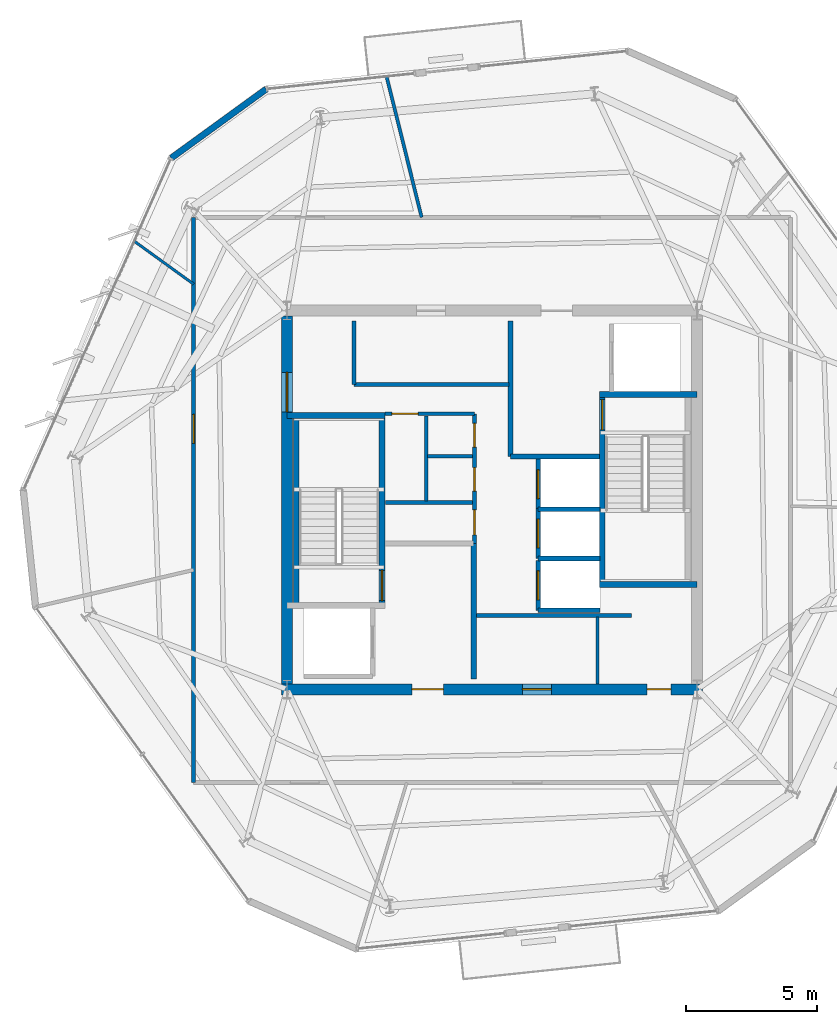
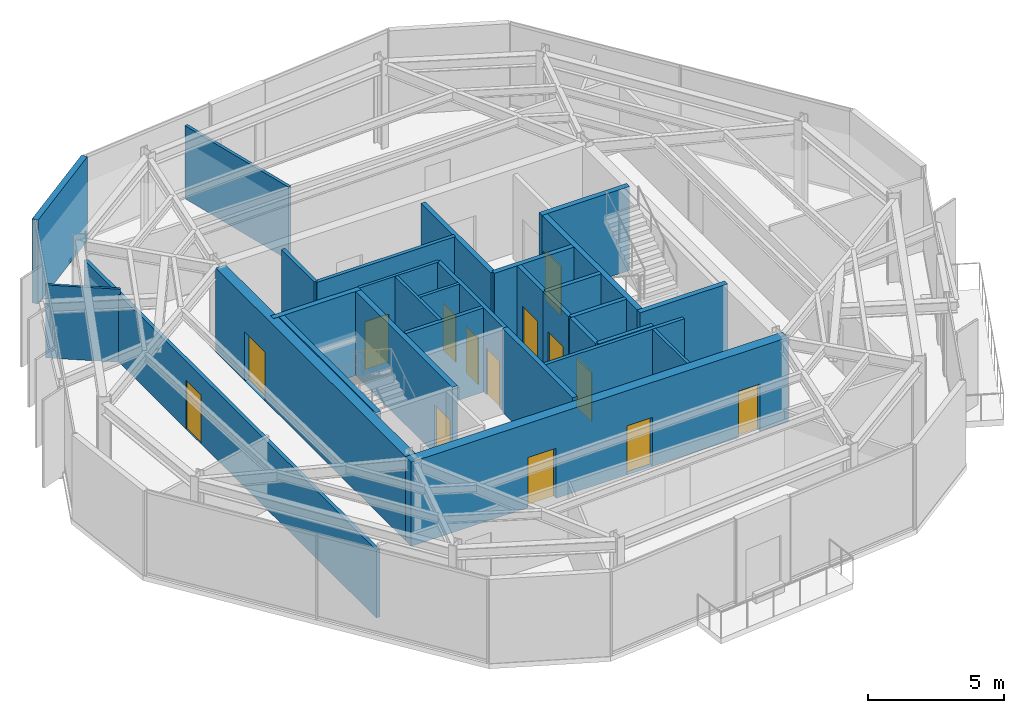
# One storey, part 7 of 11: 30 walls, 14 doors, 14 openings.
"""IFC4 building model written with IfcOpenShell, lengths in metres."""

from ifc_helpers import new_model, si_unit, direction, frame, frame_2d, origin, place, context, subcontext, project, spatial, rectangle, extrude, material, layer, layer_set, type_object, element, fill, save


model = new_model("IFC4")

# Units and contexts
model_context = context("Model", 3, precision=1e-05, world=origin(), true_north=direction((0.0, 1.0)))
body_context = subcontext(model_context, "Body", "Model", "MODEL_VIEW")
ifc_project = project(units=[si_unit("LENGTHUNIT", "METRE"), si_unit("AREAUNIT", "SQUARE_METRE"), si_unit("VOLUMEUNIT", "CUBIC_METRE"), si_unit("PLANEANGLEUNIT", "RADIAN"), si_unit("MASSUNIT", "GRAM", prefix="KILO")], contexts=[model_context])

# Site, building, storey
site_placement = place(None, origin())
site = spatial("IfcSite", under=ifc_project, at=site_placement, CompositionType="ELEMENT")
building_placement = place(site_placement, origin())
building = spatial("IfcBuilding", under=site, at=building_placement, Name="Kranzbogen Civic Tower", CompositionType="ELEMENT")
storey_placement = place(building_placement, frame((0.0, 0.0, 290.199951171875)))
storey = spatial("IfcBuildingStorey", under=building, at=storey_placement, Name="L70", CompositionType="ELEMENT", Elevation=290.199951171875)

# Walls
ifc_material_1 = material(Name="Double-Stud Acoustic Gypsum Partition")
ifc_layer_1 = layer(ifc_material_1, 0.14990234375, Name="Double-Stud Acoustic Gypsum Partition")
ifc_layer_set_1 = layer_set([ifc_layer_1], Name="Double-Stud Acoustic Gypsum Partition")
wall_type_1 = type_object("IfcWallType", Name="Acoustic Corridor and Clinical Partition 150 mm", PredefinedType="PARTITIONING", material=ifc_layer_set_1)
wall_1_placement = place(storey_placement, frame((24.39990234375, 20.610107421875, 0.0), z_axis=(0.0, 0.0, 1.0), x_axis=(1.0, 0.0, 0.0)))
element("IfcWall", 1, at=wall_1_placement, inside=storey, type_object=wall_type_1, Name="L70 records zone North wall", PredefinedType="PARTITIONING", context=body_context, shape_type="SweptSolid", body=[
    extrude(rectangle(XDim=5.900146484375, YDim=0.14990234375, at=frame_2d((2.9501953125, 0.0))), origin(), (0.0, 0.0, 1.0), 3.780029296875),
])
wall_2_placement = place(storey_placement, frame((19.75, 29.389892578125, 0.0), z_axis=(0.0, 0.0, 1.0), x_axis=(1.0, 0.0, 0.0)))
element("IfcWall", 2, at=wall_2_placement, inside=storey, type_object=wall_type_1, Name="L70 digital comms South wall", PredefinedType="PARTITIONING", context=body_context, shape_type="SweptSolid", body=[
    extrude(rectangle(XDim=5.89990234375, YDim=0.14990234375, at=frame_2d((2.949951171875, 0.0))), origin(), (0.0, 0.0, 1.0), 3.780029296875),
])
wall_3_placement = place(storey_placement, frame((19.75, 29.389892578125, 0.0), z_axis=(0.0, 0.0, 1.0), x_axis=(0.0, 1.0, 0.0)))
element("IfcWall", 3, at=wall_3_placement, inside=storey, type_object=wall_type_1, Name="L70 digital comms West wall", PredefinedType="PARTITIONING", context=body_context, shape_type="SweptSolid", body=[
    extrude(rectangle(XDim=2.41015625, YDim=0.14990234375, at=frame_2d((1.205078125, 0.0))), origin(), (0.0, 0.0, 1.0), 3.780029296875),
])

# Wall, opening, door
wall_4_placement = place(storey_placement, frame((13.64990234375, 14.25, 0.0), z_axis=(0.0, 0.0, 1.0), x_axis=(0.0, 1.0, 0.0)))
wall_4 = element("IfcWall", 4, at=wall_4_placement, inside=storey, type_object=wall_type_1, Name="L70 corridor partition 04", PredefinedType="PARTITIONING", context=body_context, shape_type="SweptSolid", body=[
    extrude(rectangle(XDim=21.5, YDim=0.14990234375, at=frame_2d((10.75, 0.0))), origin(), (0.0, 0.0, 1.0), 3.050048828125),
])
opening_1_placement = place(wall_4_placement, frame((12.906005859375, 0.0, 0.0)))
opening_1 = element("IfcOpeningElement", 5, at=opening_1_placement, cuts=wall_4, Name="Opening D-COR60", PredefinedType="OPENING", context=body_context, shape_type="SweptSolid", body=[
    extrude(rectangle(XDim=1.10009765625, YDim=2.199951171875, at=frame_2d((0.550048828125, 1.10009765625))), frame((0.0, 0.0849609375, 0.0), z_axis=(0.0, -1.0, 0.0), x_axis=(1.0, 0.0, 0.0)), (0.0, 0.0, 1.0), 0.169921875),
])
ifc_material_2 = material(Name="Oak Timber and Fire Core", Category="wood")
door_type_1 = type_object("IfcDoorType", Name="Corridor Acoustic Fire Door 1100x2200", OperationType="NOTDEFINED", PredefinedType="DOOR", material=ifc_material_2)
door_1_placement = place(opening_1_placement, origin())
door_1 = element("IfcDoor", 6, at=door_1_placement, inside=storey, type_object=door_type_1, Name="L70 Civic Reference Library door", OperationType="SINGLE_SWING_RIGHT", OverallHeight=2.199951171875, OverallWidth=1.10009765625, PredefinedType="DOOR", context=body_context, shape_type="SweptSolid", body=[
    extrude(rectangle(XDim=1.10009765625, YDim=2.199951171875, at=frame_2d((0.550048828125, 1.10009765625))), frame((0.0, 0.02490234375, 0.0), z_axis=(0.0, -1.0, 0.0), x_axis=(1.0, 0.0, 0.0)), (0.0, 0.0, 1.0), 0.050048828125),
])
fill(opening_1, door_1)

ifc_material_3 = material(Name="Insulated Metal-Stud Gypsum Partition")
ifc_layer_2 = layer(ifc_material_3, 0.125, Name="Insulated Metal-Stud Gypsum Partition")
ifc_layer_set_2 = layer_set([ifc_layer_2], Name="Insulated Metal-Stud Gypsum Partition")
wall_type_2 = type_object("IfcWallType", Name="Acoustic Inter-Room Partition 125 mm", PredefinedType="PARTITIONING", material=ifc_layer_set_2)
wall_5_placement = place(storey_placement, frame((20.919921875, 28.280029296875, 0.0), z_axis=(0.0, 0.0, 1.0), x_axis=(1.0, 0.0, 0.0)))
wall_5 = element("IfcWall", 7, at=wall_5_placement, inside=storey, type_object=wall_type_2, Name="L70 core auxiliary North wall", PredefinedType="PARTITIONING", context=body_context, shape_type="SweptSolid", body=[
    extrude(rectangle(XDim=3.405029296875, YDim=0.125, at=frame_2d((1.70263671875, 0.0))), origin(), (0.0, 0.0, 1.0), 3.780029296875),
])
opening_2_placement = place(wall_5_placement, frame((0.27001953125, 0.0, 0.0)))
opening_2 = element("IfcOpeningElement", 8, at=opening_2_placement, cuts=wall_5, Name="Opening D-RSR10", PredefinedType="OPENING", context=body_context, shape_type="SweptSolid", body=[
    extrude(rectangle(XDim=1.0, YDim=2.14990234375, at=frame_2d((0.5, 1.074951171875))), frame((0.0, 0.072509765625, 0.0), z_axis=(0.0, -1.0, 0.0), x_axis=(1.0, 0.0, 0.0)), (0.0, 0.0, 1.0), 0.14501953125),
])
door_type_2 = type_object("IfcDoorType", Name="Core Archive and Riser Fire Door 1000x2150", OperationType="NOTDEFINED", PredefinedType="DOOR", material=ifc_material_2)
door_2_placement = place(opening_2_placement, origin())
door_2 = element("IfcDoor", 9, at=door_2_placement, inside=storey, type_object=door_type_2, Name="L70 Floor Supply Store door", OperationType="SINGLE_SWING_RIGHT", OverallHeight=2.14990234375, OverallWidth=1.0, PredefinedType="DOOR", context=body_context, shape_type="SweptSolid", body=[
    extrude(rectangle(XDim=1.0, YDim=2.14990234375, at=frame_2d((0.5, 1.074951171875))), frame((0.0, 0.02490234375, 0.0), z_axis=(0.0, -1.0, 0.0), x_axis=(1.0, 0.0, 0.0)), (0.0, 0.0, 1.0), 0.050048828125),
])
fill(opening_2, door_2)

# Walls
wall_6_placement = place(storey_placement, frame((29.010009765625, 18.010009765625, 0.0), z_axis=(0.0, 0.0, 1.0), x_axis=(0.0, 1.0, 0.0)))
element("IfcWall", 10, at=wall_6_placement, inside=storey, type_object=wall_type_2, Name="L70 core auxiliary partition 1", PredefinedType="PARTITIONING", context=body_context, shape_type="SweptSolid", body=[
    extrude(rectangle(XDim=2.5400390625, YDim=0.125, at=frame_2d((1.27001953125, 0.0))), origin(), (0.0, 0.0, 1.0), 3.780029296875),
])
wall_7_placement = place(storey_placement, frame((22.489990234375, 24.969970703125, 0.0), z_axis=(0.0, 0.0, 1.0), x_axis=(0.0, 1.0, 0.0)))
element("IfcWall", 11, at=wall_7_placement, inside=storey, type_object=wall_type_2, Name="L70 core auxiliary partition 3", PredefinedType="PARTITIONING", context=body_context, shape_type="SweptSolid", body=[
    extrude(rectangle(XDim=3.22998046875, YDim=0.125, at=frame_2d((1.614990234375, 0.0))), origin(), (0.0, 0.0, 1.0), 3.780029296875),
])
wall_8_placement = place(storey_placement, frame((22.550048828125, 26.659912109375, 0.0), z_axis=(0.0, 0.0, 1.0), x_axis=(1.0, 0.0, 0.0)))
element("IfcWall", 12, at=wall_8_placement, inside=storey, type_object=wall_type_2, Name="L70 core auxiliary partition 4", PredefinedType="PARTITIONING", context=body_context, shape_type="SweptSolid", body=[
    extrude(rectangle(XDim=1.699951171875, YDim=0.125, at=frame_2d((0.85009765625, 0.0))), origin(), (0.0, 0.0, 1.0), 3.780029296875),
])
wall_9_placement = place(storey_placement, frame((22.321044921875, 35.75, 0.0), z_axis=(0.0, 0.0, 1.0), x_axis=(-0.241815465561, 0.970322256065, 0.0)))
element("IfcWall", 13, at=wall_9_placement, inside=storey, type_object=wall_type_2, Name="L70 radial room partition 01", PredefinedType="PARTITIONING", context=body_context, shape_type="SweptSolid", body=[
    extrude(rectangle(XDim=5.50439453125, YDim=0.125, at=frame_2d((2.752197265625, 0.0))), origin(), (0.0, 0.0, 1.0), 3.280029296875),
])

# Wall, openings, doors
ifc_material_4 = material(Name="Concrete C45/55", Category="concrete")
ifc_layer_3 = layer(ifc_material_4, 0.419921875, Name="Concrete C45/55")
ifc_layer_set_3 = layer_set([ifc_layer_3], Name="Concrete C45/55")
wall_type_3 = type_object("IfcWallType", Name="Central Core Shear Wall 420 mm", PredefinedType="SHEAR", material=ifc_layer_set_3)
wall_10_placement = place(storey_placement, frame((16.989990234375, 17.800048828125, 0.0), z_axis=(0.0, 0.0, 1.0), x_axis=(1.0, 0.0, 0.0)))
wall_10 = element("IfcWall", 14, at=wall_10_placement, inside=storey, type_object=wall_type_3, Name="L70 central core South shear wall", PredefinedType="SHEAR", context=body_context, shape_type="SweptSolid", body=[
    extrude(rectangle(XDim=16.02001953125, YDim=0.419921875, at=frame_2d((8.010009765625, 0.0))), origin(), (0.0, 0.0, 1.0), 3.780029296875),
])
opening_3_placement = place(wall_10_placement, frame((4.9599609375, 0.0, 0.0)))
opening_3 = element("IfcOpeningElement", 15, at=opening_3_placement, cuts=wall_10, Name="Opening D-EX120", PredefinedType="OPENING", context=body_context, shape_type="SweptSolid", body=[
    extrude(rectangle(XDim=1.199951171875, YDim=2.25, at=frame_2d((0.60009765625, 1.125))), frame((0.0, 0.219970703125, 0.0), z_axis=(0.0, -1.0, 0.0), x_axis=(1.0, 0.0, 0.0)), (0.0, 0.0, 1.0), 0.43994140625),
])
opening_4_placement = place(wall_10_placement, frame((13.909912109375, 0.0, 0.0)))
opening_4 = element("IfcOpeningElement", 16, at=opening_4_placement, cuts=wall_10, Name="Opening D-WC90", PredefinedType="OPENING", context=body_context, shape_type="SweptSolid", body=[
    extrude(rectangle(XDim=0.89990234375, YDim=2.10009765625, at=frame_2d((0.449951171875, 1.050048828125))), frame((0.0, 0.219970703125, 0.0), z_axis=(0.0, -1.0, 0.0), x_axis=(1.0, 0.0, 0.0)), (0.0, 0.0, 1.0), 0.43994140625),
])
opening_5_placement = place(wall_10_placement, frame((9.159912109375, 0.0, 0.0)))
opening_5 = element("IfcOpeningElement", 17, at=opening_5_placement, cuts=wall_10, Name="Opening D-COR60", PredefinedType="OPENING", context=body_context, shape_type="SweptSolid", body=[
    extrude(rectangle(XDim=1.10009765625, YDim=2.199951171875, at=frame_2d((0.550048828125, 1.10009765625))), frame((0.0, 0.219970703125, 0.0), z_axis=(0.0, -1.0, 0.0), x_axis=(1.0, 0.0, 0.0)), (0.0, 0.0, 1.0), 0.43994140625),
])
door_3_placement = place(opening_5_placement, origin())
door_3 = element("IfcDoor", 18, at=door_3_placement, inside=storey, type_object=door_type_1, Name="L70 REC1 archive room door", OperationType="SINGLE_SWING_RIGHT", OverallHeight=2.199951171875, OverallWidth=1.10009765625, PredefinedType="DOOR", context=body_context, shape_type="SweptSolid", body=[
    extrude(rectangle(XDim=1.10009765625, YDim=2.199951171875, at=frame_2d((0.550048828125, 1.10009765625))), frame((0.0, 0.02490234375, 0.0), z_axis=(0.0, -1.0, 0.0), x_axis=(1.0, 0.0, 0.0)), (0.0, 0.0, 1.0), 0.050048828125),
])
fill(opening_5, door_3)
ifc_material_5 = material(Name="Steel S355", Category="steel")
door_type_3 = type_object("IfcDoorType", Name="Exit Passageway Fire Door 1200x2250", OperationType="NOTDEFINED", PredefinedType="DOOR", material=ifc_material_5)
door_4_placement = place(opening_3_placement, origin())
door_4 = element("IfcDoor", 19, at=door_4_placement, inside=storey, type_object=door_type_3, Name="L70 West firefighting lobby corridor door", OperationType="SINGLE_SWING_LEFT", OverallHeight=2.25, OverallWidth=1.199951171875, PredefinedType="DOOR", context=body_context, shape_type="SweptSolid", body=[
    extrude(rectangle(XDim=1.199951171875, YDim=2.25, at=frame_2d((0.60009765625, 1.125))), frame((0.0, 0.02490234375, 0.0), z_axis=(0.0, -1.0, 0.0), x_axis=(1.0, 0.0, 0.0)), (0.0, 0.0, 1.0), 0.050048828125),
])
fill(opening_3, door_4)
ifc_material_6 = material(Name="Moisture-Resistant Laminate")
door_type_4 = type_object("IfcDoorType", Name="Standard Restroom and Store Door 900x2100", OperationType="NOTDEFINED", PredefinedType="DOOR", material=ifc_material_6)
door_5_placement = place(opening_4_placement, origin())
door_5 = element("IfcDoor", 20, at=door_5_placement, inside=storey, type_object=door_type_4, Name="L70 East electrical riser access door", OperationType="SINGLE_SWING_LEFT", OverallHeight=2.10009765625, OverallWidth=0.89990234375, PredefinedType="DOOR", context=body_context, shape_type="SweptSolid", body=[
    extrude(rectangle(XDim=0.89990234375, YDim=2.10009765625, at=frame_2d((0.449951171875, 1.050048828125))), frame((0.0, 0.02490234375, 0.0), z_axis=(0.0, -1.0, 0.0), x_axis=(1.0, 0.0, 0.0)), (0.0, 0.0, 1.0), 0.050048828125),
])
fill(opening_4, door_5)

# Wall, opening, door
wall_11_placement = place(storey_placement, frame((17.199951171875, 31.989990234375, 0.0), z_axis=(0.0, 0.0, 1.0), x_axis=(0.0, -1.0, 0.0)))
wall_11 = element("IfcWall", 21, at=wall_11_placement, inside=storey, type_object=wall_type_3, Name="L70 central core West shear wall", PredefinedType="SHEAR", context=body_context, shape_type="SweptSolid", body=[
    extrude(rectangle(XDim=13.97998046875, YDim=0.419921875, at=frame_2d((6.989990234375, 0.0))), origin(), (0.0, 0.0, 1.0), 3.780029296875),
])
opening_6_placement = place(wall_11_placement, frame((2.139892578125, 0.0, 0.0)))
opening_6 = element("IfcOpeningElement", 22, at=opening_6_placement, cuts=wall_11, Name="Opening D-DBL15", PredefinedType="OPENING", context=body_context, shape_type="SweptSolid", body=[
    extrude(rectangle(XDim=1.5, YDim=2.199951171875, at=frame_2d((0.75, 1.10009765625))), frame((0.0, 0.219970703125, 0.0), z_axis=(0.0, -1.0, 0.0), x_axis=(1.0, 0.0, 0.0)), (0.0, 0.0, 1.0), 0.43994140625),
])
ifc_material_7 = material(Name="Anodised Bronze and Glass", Category="glass")
door_type_5 = type_object("IfcDoorType", Name="Civic Lobby Double Door 1500x2200", OperationType="DOUBLE_DOOR_SINGLE_SWING", PredefinedType="DOOR", material=ifc_material_7)
door_6_placement = place(opening_6_placement, origin())
door_6 = element("IfcDoor", 23, at=door_6_placement, inside=storey, type_object=door_type_5, Name="L70 Central Lift Lobby West concourse door", OperationType="DOUBLE_DOOR_SINGLE_SWING", OverallHeight=2.199951171875, OverallWidth=1.5, PredefinedType="DOOR", context=body_context, shape_type="SweptSolid", body=[
    extrude(rectangle(XDim=1.5, YDim=2.199951171875, at=frame_2d((0.75, 1.10009765625))), frame((0.0, 0.02490234375, 0.0), z_axis=(0.0, -1.0, 0.0), x_axis=(1.0, 0.0, 0.0)), (0.0, 0.0, 1.0), 0.050048828125),
])
fill(opening_6, door_6)

ifc_layer_4 = layer(ifc_material_4, 0.219970703125, Name="Concrete C45/55")
ifc_layer_set_4 = layer_set([ifc_layer_4], Name="Concrete C45/55")
wall_type_4 = type_object("IfcWallType", Name="Core Internal Stair Structural Wall 220 mm", PredefinedType="SOLIDWALL", material=ifc_layer_set_4)
wall_12_placement = place(storey_placement, frame((20.81005859375, 20.989990234375, 0.0), z_axis=(0.0, 0.0, 1.0), x_axis=(0.0, 1.0, 0.0)))
wall_12 = element("IfcWall", 24, at=wall_12_placement, inside=storey, type_object=wall_type_4, Name="L70 ST-T1 East structural stair wall", PredefinedType="SOLIDWALL", context=body_context, shape_type="SweptSolid", body=[
    extrude(rectangle(XDim=7.219970703125, YDim=0.219970703125, at=frame_2d((3.60986328125, 0.0))), origin(), (0.0, 0.0, 1.0), 3.780029296875),
])
opening_7_placement = place(wall_12_placement, frame((0.179931640625, 0.0, 0.0)))
opening_7 = element("IfcOpeningElement", 25, at=opening_7_placement, cuts=wall_12, Name="Opening D-ST90", PredefinedType="OPENING", context=body_context, shape_type="SweptSolid", body=[
    extrude(rectangle(XDim=1.14990234375, YDim=2.199951171875, at=frame_2d((0.574951171875, 1.10009765625))), frame((0.0, 0.1201171875, 0.0), z_axis=(0.0, -1.0, 0.0), x_axis=(1.0, 0.0, 0.0)), (0.0, 0.0, 1.0), 0.239990234375),
])
door_type_6 = type_object("IfcDoorType", Name="Pressurized Stair and Lobby Fire Door 1150x2200", OperationType="NOTDEFINED", PredefinedType="DOOR", material=ifc_material_5)
door_7_placement = place(opening_7_placement, origin())
door_7 = element("IfcDoor", 26, at=door_7_placement, inside=storey, type_object=door_type_6, Name="L70 Stair ST-T1 fire door", OperationType="SINGLE_SWING_LEFT", OverallHeight=2.199951171875, OverallWidth=1.14990234375, PredefinedType="DOOR", context=body_context, shape_type="SweptSolid", body=[
    extrude(rectangle(XDim=1.14990234375, YDim=2.199951171875, at=frame_2d((0.574951171875, 1.10009765625))), frame((0.0, 0.02490234375, 0.0), z_axis=(0.0, -1.0, 0.0), x_axis=(1.0, 0.0, 0.0)), (0.0, 0.0, 1.0), 0.050048828125),
])
fill(opening_7, door_7)

# Walls
wall_13_placement = place(storey_placement, frame((17.199951171875, 28.2099609375, 0.0), z_axis=(0.0, 0.0, 1.0), x_axis=(1.0, 0.0, 0.0)))
element("IfcWall", 27, at=wall_13_placement, inside=storey, type_object=wall_type_4, Name="L70 ST-T1 North structural stair wall", PredefinedType="SOLIDWALL", context=body_context, shape_type="SweptSolid", body=[
    extrude(rectangle(XDim=3.719970703125, YDim=0.219970703125, at=frame_2d((1.85986328125, 0.0))), origin(), (0.0, 0.0, 1.0), 3.780029296875),
])
wall_14_placement = place(storey_placement, frame((17.554931640625, 28.2099609375, 0.0), z_axis=(0.0, 0.0, 1.0), x_axis=(0.0, -1.0, 0.0)))
element("IfcWall", 28, at=wall_14_placement, inside=storey, type_object=wall_type_4, Name="L70 ST-T1 West structural stair wall", PredefinedType="SOLIDWALL", context=body_context, shape_type="SweptSolid", body=[
    extrude(rectangle(XDim=7.219970703125, YDim=0.219970703125, at=frame_2d((3.60986328125, 0.0))), origin(), (0.0, 0.0, 1.0), 3.780029296875),
])

# Wall, opening, door
wall_15_placement = place(storey_placement, frame((29.18994140625, 21.7900390625, 0.0), z_axis=(0.0, 0.0, 1.0), x_axis=(0.0, 1.0, 0.0)))
wall_15 = element("IfcWall", 29, at=wall_15_placement, inside=storey, type_object=wall_type_4, Name="L70 ST-T2 West structural stair wall", PredefinedType="SOLIDWALL", context=body_context, shape_type="SweptSolid", body=[
    extrude(rectangle(XDim=7.219970703125, YDim=0.219970703125, at=frame_2d((3.60986328125, 0.0))), origin(), (0.0, 0.0, 1.0), 3.780029296875),
])
opening_8_placement = place(wall_15_placement, frame((5.8798828125, 0.0, 0.0)))
opening_8 = element("IfcOpeningElement", 30, at=opening_8_placement, cuts=wall_15, Name="Opening D-ST90", PredefinedType="OPENING", context=body_context, shape_type="SweptSolid", body=[
    extrude(rectangle(XDim=1.14990234375, YDim=2.199951171875, at=frame_2d((0.574951171875, 1.10009765625))), frame((0.0, 0.1201171875, 0.0), z_axis=(0.0, -1.0, 0.0), x_axis=(1.0, 0.0, 0.0)), (0.0, 0.0, 1.0), 0.239990234375),
])
door_8_placement = place(opening_8_placement, origin())
door_8 = element("IfcDoor", 31, at=door_8_placement, inside=storey, type_object=door_type_6, Name="L70 Stair ST-T2 fire door", OperationType="SINGLE_SWING_RIGHT", OverallHeight=2.199951171875, OverallWidth=1.14990234375, PredefinedType="DOOR", context=body_context, shape_type="SweptSolid", body=[
    extrude(rectangle(XDim=1.14990234375, YDim=2.199951171875, at=frame_2d((0.574951171875, 1.10009765625))), frame((0.0, 0.02490234375, 0.0), z_axis=(0.0, -1.0, 0.0), x_axis=(1.0, 0.0, 0.0)), (0.0, 0.0, 1.0), 0.050048828125),
])
fill(opening_8, door_8)

# Walls
for number, where, z_axis, x_axis, name in (
    (32, (29.080078125, 21.7900390625, 0.0), (0.0, 0.0, 1.0), (1.0, 0.0, 0.0), "L70 ST-T2 South structural stair wall"),
    (33, (29.080078125, 29.010009765625, 0.0), (0.0, 0.0, 1.0), (1.0, 0.0, 0.0), "L70 ST-T2 North structural stair wall"),
):
    element("IfcWall", number, at=place(storey_placement, frame(where, z_axis=z_axis, x_axis=x_axis)), inside=storey, type_object=wall_type_4, Name=name, PredefinedType="SOLIDWALL", context=body_context, shape_type="SweptSolid", body=[
        extrude(rectangle(XDim=3.719970703125, YDim=0.219970703125, at=frame_2d((1.85986328125, 0.0))), origin(), (0.0, 0.0, 1.0), 3.780029296875),
    ])
ifc_material_8 = material(Name="Demountable Aluminium and Gypsum Partition", Category="aluminium")
ifc_layer_5 = layer(ifc_material_8, 0.10009765625, Name="Demountable Aluminium and Gypsum Partition")
ifc_layer_set_5 = layer_set([ifc_layer_5], Name="Demountable Aluminium and Gypsum Partition")
wall_type_5 = type_object("IfcWallType", Name="Demountable Office Partition 100 mm", PredefinedType="MOVABLE", material=ifc_layer_set_5)
wall_16_placement = place(storey_placement, frame((13.64990234375, 33.2080078125, 0.0), z_axis=(0.0, 0.0, 1.0), x_axis=(-0.810240415725, 0.586097661424, 0.0)))
element("IfcWall", 34, at=wall_16_placement, inside=storey, type_object=wall_type_5, Name="L70 radial room partition 02", PredefinedType="MOVABLE", context=body_context, shape_type="SweptSolid", body=[
    extrude(rectangle(XDim=2.774169921875, YDim=0.10009765625, at=frame_2d((1.38720703125, 0.0))), origin(), (0.0, 0.0, 1.0), 3.280029296875),
])
ifc_material_9 = material(Name="Gypsum Fireboard and Concrete Block", Category="concrete")
ifc_layer_6 = layer(ifc_material_9, 0.199951171875, Name="Gypsum Fireboard and Concrete Block")
ifc_layer_set_6 = layer_set([ifc_layer_6], Name="Gypsum Fireboard and Concrete Block")
wall_type_6 = type_object("IfcWallType", Name="Fire-Rated Exit Passageway and Stair Wall 200 mm", PredefinedType="PARTITIONING", material=ifc_layer_set_6)
for number, where, z_axis, x_axis, name in (
    (35, (24.300048828125, 18.199951171875, 0.0), (0.0, 0.0, 1.0), (0.0, 1.0, 0.0), "L70 West firefighting lobby East wall"),
    (36, (25.699951171875, 26.64990234375, 0.0), (0.0, 0.0, 1.0), (0.0, 1.0, 0.0), "L70 East firefighting lobby West wall"),
):
    element("IfcWall", number, at=place(storey_placement, frame(where, z_axis=z_axis, x_axis=x_axis)), inside=storey, type_object=wall_type_6, Name=name, PredefinedType="PARTITIONING", context=body_context, shape_type="SweptSolid", body=[
        extrude(rectangle(XDim=5.150146484375, YDim=0.199951171875, at=frame_2d((2.5751953125, 0.0))), origin(), (0.0, 0.0, 1.0), 3.780029296875),
    ])
wall_17_placement = place(storey_placement, frame((25.699951171875, 26.64990234375, 0.0), z_axis=(0.0, 0.0, 1.0), x_axis=(1.0, 0.0, 0.0)))
element("IfcWall", 37, at=wall_17_placement, inside=storey, type_object=wall_type_6, Name="L70 East firefighting lobby South wall", PredefinedType="PARTITIONING", context=body_context, shape_type="SweptSolid", body=[
    extrude(rectangle(XDim=3.380126953125, YDim=0.199951171875, at=frame_2d((1.68994140625, 0.0))), origin(), (0.0, 0.0, 1.0), 3.780029296875),
])

# Wall, opening, door
ifc_material_10 = material(Name="Gypsum Fireboard Shaftliner")
ifc_layer_7 = layer(ifc_material_10, 0.175048828125, Name="Gypsum Fireboard Shaftliner")
ifc_layer_set_7 = layer_set([ifc_layer_7], Name="Gypsum Fireboard Shaftliner")
wall_type_7 = type_object("IfcWallType", Name="Fire-Rated Lift and Service Shaft Wall 175 mm", PredefinedType="PARTITIONING", material=ifc_layer_set_7)
wall_18_placement = place(storey_placement, frame((26.75, 20.800048828125, 0.0), z_axis=(0.0, 0.0, 1.0), x_axis=(0.0, 1.0, 0.0)))
wall_18 = element("IfcWall", 38, at=wall_18_placement, inside=storey, type_object=wall_type_7, Name="L70 lift HP-01 landing wall", PredefinedType="PARTITIONING", context=body_context, shape_type="SweptSolid", body=[
    extrude(rectangle(XDim=1.89990234375, YDim=0.175048828125, at=frame_2d((0.949951171875, 0.0))), origin(), (0.0, 0.0, 1.0), 3.780029296875),
])
opening_9_placement = place(wall_18_placement, frame((0.39990234375, 0.0, 0.0)))
opening_9 = element("IfcOpeningElement", 39, at=opening_9_placement, cuts=wall_18, Name="Opening LD-HP-01", PredefinedType="OPENING", context=body_context, shape_type="SweptSolid", body=[
    extrude(rectangle(XDim=1.10009765625, YDim=2.199951171875, at=frame_2d((0.550048828125, 1.10009765625))), frame((0.0, 0.09765625, 0.0), z_axis=(0.0, -1.0, 0.0), x_axis=(1.0, 0.0, 0.0)), (0.0, 0.0, 1.0), 0.195068359375),
])
ifc_material_11 = material(Name="Pale Anodised Aluminium", Category="aluminium")
door_type_7 = type_object("IfcDoorType", Name="Passenger Lift Sliding Landing Door 1100x2200", OperationType="DOUBLE_DOOR_SLIDING", PredefinedType="DOOR", material=ifc_material_11)
door_9_placement = place(opening_9_placement, origin())
door_9 = element("IfcDoor", 40, at=door_9_placement, inside=storey, type_object=door_type_7, Name="L70 lift HP-01 sliding landing door", OperationType="DOUBLE_DOOR_SLIDING", OverallHeight=2.199951171875, OverallWidth=1.10009765625, PredefinedType="DOOR", context=body_context, shape_type="SweptSolid", body=[
    extrude(rectangle(XDim=1.10009765625, YDim=2.199951171875, at=frame_2d((0.550048828125, 1.10009765625))), frame((0.0, 0.02490234375, 0.0), z_axis=(0.0, -1.0, 0.0), x_axis=(1.0, 0.0, 0.0)), (0.0, 0.0, 1.0), 0.050048828125),
])
fill(opening_9, door_9)

# Wall
wall_19_placement = place(storey_placement, frame((26.75, 20.800048828125, 0.0), z_axis=(0.0, 0.0, 1.0), x_axis=(1.0, 0.0, 0.0)))
element("IfcWall", 41, at=wall_19_placement, inside=storey, type_object=wall_type_7, Name="L70 lift HP-01 side wall", PredefinedType="PARTITIONING", context=body_context, shape_type="SweptSolid", body=[
    extrude(rectangle(XDim=2.35009765625, YDim=0.175048828125, at=frame_2d((1.175048828125, 0.0))), origin(), (0.0, 0.0, 1.0), 3.780029296875),
])

# Wall, opening, door
wall_20_placement = place(storey_placement, frame((26.75, 22.77490234375, 0.0), z_axis=(0.0, 0.0, 1.0), x_axis=(0.0, 1.0, 0.0)))
wall_20 = element("IfcWall", 42, at=wall_20_placement, inside=storey, type_object=wall_type_7, Name="L70 lift HP-02 landing wall", PredefinedType="PARTITIONING", context=body_context, shape_type="SweptSolid", body=[
    extrude(rectangle(XDim=1.900146484375, YDim=0.175048828125, at=frame_2d((0.9501953125, 0.0))), origin(), (0.0, 0.0, 1.0), 3.780029296875),
])
opening_10_placement = place(wall_20_placement, frame((0.39990234375, 0.0, 0.0)))
opening_10 = element("IfcOpeningElement", 43, at=opening_10_placement, cuts=wall_20, Name="Opening LD-HP-02", PredefinedType="OPENING", context=body_context, shape_type="SweptSolid", body=[
    extrude(rectangle(XDim=1.10009765625, YDim=2.199951171875, at=frame_2d((0.550048828125, 1.10009765625))), frame((0.0, 0.09765625, 0.0), z_axis=(0.0, -1.0, 0.0), x_axis=(1.0, 0.0, 0.0)), (0.0, 0.0, 1.0), 0.195068359375),
])
door_10_placement = place(opening_10_placement, origin())
door_10 = element("IfcDoor", 44, at=door_10_placement, inside=storey, type_object=door_type_7, Name="L70 lift HP-02 sliding landing door", OperationType="DOUBLE_DOOR_SLIDING", OverallHeight=2.199951171875, OverallWidth=1.10009765625, PredefinedType="DOOR", context=body_context, shape_type="SweptSolid", body=[
    extrude(rectangle(XDim=1.10009765625, YDim=2.199951171875, at=frame_2d((0.550048828125, 1.10009765625))), frame((0.0, 0.02490234375, 0.0), z_axis=(0.0, -1.0, 0.0), x_axis=(1.0, 0.0, 0.0)), (0.0, 0.0, 1.0), 0.050048828125),
])
fill(opening_10, door_10)

# Wall
wall_21_placement = place(storey_placement, frame((26.75, 22.77490234375, 0.0), z_axis=(0.0, 0.0, 1.0), x_axis=(1.0, 0.0, 0.0)))
element("IfcWall", 45, at=wall_21_placement, inside=storey, type_object=wall_type_7, Name="L70 lift HP-02 side wall", PredefinedType="PARTITIONING", context=body_context, shape_type="SweptSolid", body=[
    extrude(rectangle(XDim=2.35009765625, YDim=0.175048828125, at=frame_2d((1.175048828125, 0.0))), origin(), (0.0, 0.0, 1.0), 3.780029296875),
])

# Wall, opening, door
wall_22_placement = place(storey_placement, frame((26.75, 24.64990234375, 0.0), z_axis=(0.0, 0.0, 1.0), x_axis=(0.0, 1.0, 0.0)))
wall_22 = element("IfcWall", 46, at=wall_22_placement, inside=storey, type_object=wall_type_7, Name="L70 lift HP-03 landing wall", PredefinedType="PARTITIONING", context=body_context, shape_type="SweptSolid", body=[
    extrude(rectangle(XDim=1.900146484375, YDim=0.175048828125, at=frame_2d((0.9501953125, 0.0))), origin(), (0.0, 0.0, 1.0), 3.780029296875),
])
opening_11_placement = place(wall_22_placement, frame((0.39990234375, 0.0, 0.0)))
opening_11 = element("IfcOpeningElement", 47, at=opening_11_placement, cuts=wall_22, Name="Opening LD-HP-03", PredefinedType="OPENING", context=body_context, shape_type="SweptSolid", body=[
    extrude(rectangle(XDim=1.10009765625, YDim=2.199951171875, at=frame_2d((0.550048828125, 1.10009765625))), frame((0.0, 0.09765625, 0.0), z_axis=(0.0, -1.0, 0.0), x_axis=(1.0, 0.0, 0.0)), (0.0, 0.0, 1.0), 0.195068359375),
])
door_11_placement = place(opening_11_placement, origin())
door_11 = element("IfcDoor", 48, at=door_11_placement, inside=storey, type_object=door_type_7, Name="L70 lift HP-03 sliding landing door", OperationType="DOUBLE_DOOR_SLIDING", OverallHeight=2.199951171875, OverallWidth=1.10009765625, PredefinedType="DOOR", context=body_context, shape_type="SweptSolid", body=[
    extrude(rectangle(XDim=1.10009765625, YDim=2.199951171875, at=frame_2d((0.550048828125, 1.10009765625))), frame((0.0, 0.02490234375, 0.0), z_axis=(0.0, -1.0, 0.0), x_axis=(1.0, 0.0, 0.0)), (0.0, 0.0, 1.0), 0.050048828125),
])
fill(opening_11, door_11)

# Walls
wall_23_placement = place(storey_placement, frame((26.75, 24.64990234375, 0.0), z_axis=(0.0, 0.0, 1.0), x_axis=(1.0, 0.0, 0.0)))
element("IfcWall", 49, at=wall_23_placement, inside=storey, type_object=wall_type_7, Name="L70 lift HP-03 side wall", PredefinedType="PARTITIONING", context=body_context, shape_type="SweptSolid", body=[
    extrude(rectangle(XDim=2.35009765625, YDim=0.175048828125, at=frame_2d((1.175048828125, 0.0))), origin(), (0.0, 0.0, 1.0), 3.780029296875),
])
ifc_layer_8 = layer(ifc_material_11, 0.239990234375, Name="Pale Anodised Aluminium")
ifc_layer_set_8 = layer_set([ifc_layer_8], Name="Pale Anodised Aluminium")
wall_type_8 = type_object("IfcWallType", Name="Insulated Aluminium Facade Portal Wall 240 mm", PredefinedType="STANDARD", material=ifc_layer_set_8)
wall_24_placement = place(storey_placement, frame((16.406982421875, 40.625, 0.0), z_axis=(0.0, 0.0, 1.0), x_axis=(-0.809048111957, -0.587742420231, 0.0)))
element("IfcWall", 50, at=wall_24_placement, inside=storey, type_object=wall_type_8, Name="L70 chamfered corner facade spandrel 1", PredefinedType="STANDARD", context=body_context, shape_type="SweptSolid", body=[
    extrude(rectangle(XDim=4.464599609375, YDim=0.239990234375, at=frame_2d((2.232421875, 0.0))), origin(), (0.0, 0.0, 1.0), 3.780029296875),
])

# Wall, openings, doors
ifc_material_12 = material(Name="Moisture-Resistant Gypsum Assembly")
ifc_layer_9 = layer(ifc_material_12, 0.159912109375, Name="Moisture-Resistant Gypsum Assembly")
ifc_layer_set_9 = layer_set([ifc_layer_9], Name="Moisture-Resistant Gypsum Assembly")
wall_type_9 = type_object("IfcWallType", Name="Sanitary and Plumbing Wet Wall 160 mm", PredefinedType="PLUMBINGWALL", material=ifc_layer_set_9)
wall_25_placement = place(storey_placement, frame((24.324951171875, 23.35009765625, 0.0), z_axis=(0.0, 0.0, 1.0), x_axis=(0.0, 1.0, 0.0)))
wall_25 = element("IfcWall", 51, at=wall_25_placement, inside=storey, type_object=wall_type_9, Name="L70 core auxiliary East wall", PredefinedType="PLUMBINGWALL", context=body_context, shape_type="SweptSolid", body=[
    extrude(rectangle(XDim=4.929931640625, YDim=0.159912109375, at=frame_2d((2.46484375, 0.0))), origin(), (0.0, 0.0, 1.0), 3.780029296875),
])
opening_12_placement = place(wall_25_placement, frame((0.324951171875, 0.0, 0.0)))
opening_12 = element("IfcOpeningElement", 52, at=opening_12_placement, cuts=wall_25, Name="Opening D-AWC95", PredefinedType="OPENING", context=body_context, shape_type="SweptSolid", body=[
    extrude(rectangle(XDim=0.949951171875, YDim=2.10009765625, at=frame_2d((0.47509765625, 1.050048828125))), frame((0.0, 0.08984375, 0.0), z_axis=(0.0, -1.0, 0.0), x_axis=(1.0, 0.0, 0.0)), (0.0, 0.0, 1.0), 0.179931640625),
])
opening_13_placement = place(wall_25_placement, frame((1.985107421875, 0.0, 0.0)))
opening_13 = element("IfcOpeningElement", 53, at=opening_13_placement, cuts=wall_25, Name="Opening D-WC90", PredefinedType="OPENING", context=body_context, shape_type="SweptSolid", body=[
    extrude(rectangle(XDim=0.89990234375, YDim=2.10009765625, at=frame_2d((0.449951171875, 1.050048828125))), frame((0.0, 0.08984375, 0.0), z_axis=(0.0, -1.0, 0.0), x_axis=(1.0, 0.0, 0.0)), (0.0, 0.0, 1.0), 0.179931640625),
])
opening_14_placement = place(wall_25_placement, frame((3.659912109375, 0.0, 0.0)))
opening_14 = element("IfcOpeningElement", 54, at=opening_14_placement, cuts=wall_25, Name="Opening D-WC90", PredefinedType="OPENING", context=body_context, shape_type="SweptSolid", body=[
    extrude(rectangle(XDim=0.89990234375, YDim=2.10009765625, at=frame_2d((0.449951171875, 1.050048828125))), frame((0.0, 0.08984375, 0.0), z_axis=(0.0, -1.0, 0.0), x_axis=(1.0, 0.0, 0.0)), (0.0, 0.0, 1.0), 0.179931640625),
])
door_type_8 = type_object("IfcDoorType", Name="Accessible Restroom Door 950x2100", OperationType="NOTDEFINED", PredefinedType="DOOR", material=ifc_material_6)
door_12_placement = place(opening_12_placement, origin())
door_12 = element("IfcDoor", 55, at=door_12_placement, inside=storey, type_object=door_type_8, Name="L70 Accessible Restroom door", OperationType="SINGLE_SWING_LEFT", OverallHeight=2.10009765625, OverallWidth=0.949951171875, PredefinedType="DOOR", context=body_context, shape_type="SweptSolid", body=[
    extrude(rectangle(XDim=0.949951171875, YDim=2.10009765625, at=frame_2d((0.47509765625, 1.050048828125))), frame((0.0, 0.02490234375, 0.0), z_axis=(0.0, -1.0, 0.0), x_axis=(1.0, 0.0, 0.0)), (0.0, 0.0, 1.0), 0.050048828125),
])
fill(opening_12, door_12)
door_13_placement = place(opening_13_placement, origin())
door_13 = element("IfcDoor", 56, at=door_13_placement, inside=storey, type_object=door_type_4, Name="L70 Gender-Neutral Restroom door", OperationType="SINGLE_SWING_RIGHT", OverallHeight=2.10009765625, OverallWidth=0.89990234375, PredefinedType="DOOR", context=body_context, shape_type="SweptSolid", body=[
    extrude(rectangle(XDim=0.89990234375, YDim=2.10009765625, at=frame_2d((0.449951171875, 1.050048828125))), frame((0.0, 0.02490234375, 0.0), z_axis=(0.0, -1.0, 0.0), x_axis=(1.0, 0.0, 0.0)), (0.0, 0.0, 1.0), 0.050048828125),
])
fill(opening_13, door_13)
door_14_placement = place(opening_14_placement, origin())
door_14 = element("IfcDoor", 57, at=door_14_placement, inside=storey, type_object=door_type_4, Name="L70 Floor IT Patch Closet door", OperationType="SINGLE_SWING_LEFT", OverallHeight=2.10009765625, OverallWidth=0.89990234375, PredefinedType="DOOR", context=body_context, shape_type="SweptSolid", body=[
    extrude(rectangle(XDim=0.89990234375, YDim=2.10009765625, at=frame_2d((0.449951171875, 1.050048828125))), frame((0.0, 0.02490234375, 0.0), z_axis=(0.0, -1.0, 0.0), x_axis=(1.0, 0.0, 0.0)), (0.0, 0.0, 1.0), 0.050048828125),
])
fill(opening_14, door_14)

# Wall
wall_26_placement = place(storey_placement, frame((20.949951171875, 24.909912109375, 0.0), z_axis=(0.0, 0.0, 1.0), x_axis=(1.0, 0.0, 0.0)))
element("IfcWall", 58, at=wall_26_placement, inside=storey, type_object=wall_type_9, Name="L70 core auxiliary partition 2", PredefinedType="PLUMBINGWALL", context=body_context, shape_type="SweptSolid", body=[
    extrude(rectangle(XDim=3.300048828125, YDim=0.159912109375, at=frame_2d((1.64990234375, 0.0))), origin(), (0.0, 0.0, 1.0), 3.780029296875),
])

save(model, "model.ifc")
